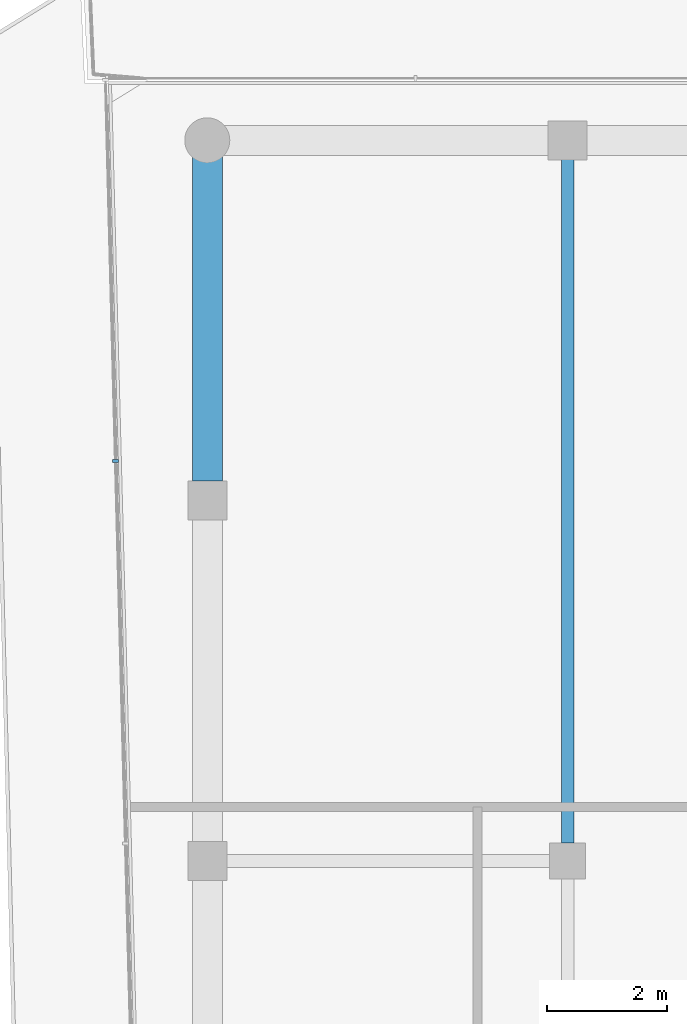
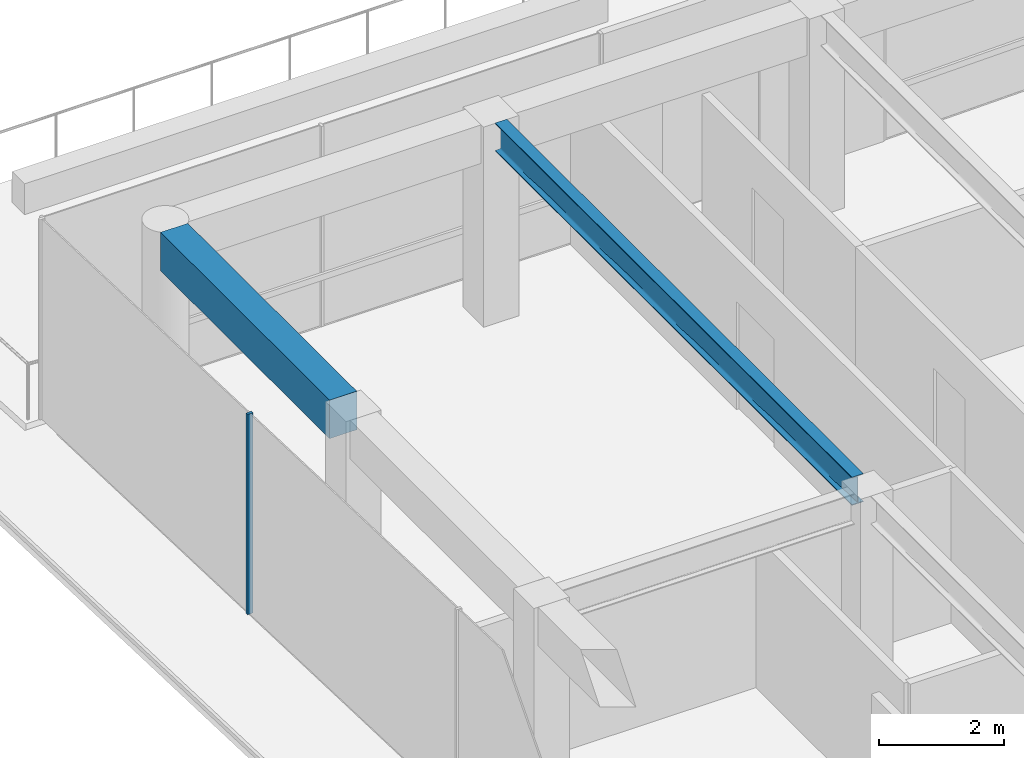
# One storey, part 9 of 20: 2 beams, 1 member, 1 element without a shape of its own.
"""IFC4 building model written with IfcOpenShell, lengths in metres."""

from ifc_helpers import new_model, si_unit, direction, frame, origin, origin_2d, place, context, subcontext, project, spatial, rectangle, i_section, extrude, material, layer, layer_set, material_profile, profile_set, type_object, element, aggregate, save


model = new_model("IFC4")

# Units and contexts
model_context = context("Model", 3, precision=1e-05, world=origin(), true_north=direction((0.0, 1.0)))
body_context = subcontext(model_context, "Body", "Model", "MODEL_VIEW")
ifc_project = project(units=[si_unit("LENGTHUNIT", "METRE"), si_unit("AREAUNIT", "SQUARE_METRE"), si_unit("VOLUMEUNIT", "CUBIC_METRE"), si_unit("PLANEANGLEUNIT", "RADIAN"), si_unit("MASSUNIT", "GRAM", prefix="KILO")], contexts=[model_context])

# Site, building, storey
site_placement = place(None, origin())
site = spatial("IfcSite", under=ifc_project, at=site_placement, CompositionType="ELEMENT")
building_placement = place(site_placement, origin())
building = spatial("IfcBuilding", under=site, at=building_placement, Name="Welwitschia Terrace Campus", CompositionType="ELEMENT")
storey_placement = place(building_placement, frame((0.0, 0.0, 327.199951171875)))
storey = spatial("IfcBuildingStorey", under=building, at=storey_placement, Name="L73", CompositionType="ELEMENT", Elevation=327.199951171875)

# Beam
ifc_material_1 = material(Name="Steel S355", Category="steel")
ifc_material_profile_1 = material_profile(ifc_material_1, i_section(OverallWidth=0.2099609375, OverallDepth=0.550048828125, WebThickness=0.010986328125, FlangeThickness=0.01708984375, FilletRadius=0.02392578125, at=origin_2d()))
ifc_profile_set_1 = profile_set([ifc_material_profile_1], Name="Steel S355")
beam_type_1 = type_object("IfcBeamType", Name="Interior girder IPE 550", PredefinedType="BEAM", material=ifc_profile_set_1)
beam_1_placement = place(storey_placement, frame((6.0, 32.300537109375, 3.625), z_axis=(0.0, 1.0, 0.0), x_axis=(-1.0, 0.0, 0.0)))
element("IfcBeam", 1, at=beam_1_placement, inside=storey, type_object=beam_type_1, Name="Girder GB7", PredefinedType="BEAM", context=body_context, shape_type="SweptSolid", body=[
    extrude(i_section(OverallWidth=0.2099609375, OverallDepth=0.550048828125, WebThickness=0.010986328125, FlangeThickness=0.01708984375, FilletRadius=0.02392578125, at=origin_2d()), origin(), (0.0, 0.0, 1.0), 11.384033203125),
])

# Curtain wall, member
ifc_material_2 = material(Name="Bronze anodised aluminium", Category="aluminium")
ifc_layer = layer(ifc_material_2, 0.10009765625)
ifc_layer_set = layer_set([ifc_layer], Name="Bronze anodised aluminium")
curtain_wall_type = type_object("IfcCurtainWallType", Name="Curtain wall CW5 crown 6000", PredefinedType="NOTDEFINED", material=ifc_layer_set)
curtain_wall_placement = place(storey_placement, origin())
curtain_wall = element("IfcCurtainWall", 2, at=curtain_wall_placement, inside=storey, type_object=curtain_wall_type, Name="CW L73.10.0", PredefinedType="NOTDEFINED")
ifc_material_3 = material(Name="Bronze anodised aluminium", Category="aluminium")
ifc_material_profile_2 = material_profile(ifc_material_3, rectangle(XDim=0.10009765625, YDim=0.050048828125, at=origin_2d()))
ifc_profile_set_2 = profile_set([ifc_material_profile_2], Name="Bronze anodised aluminium")
member_type = type_object("IfcMemberType", Name="Mullion 50x100", PredefinedType="MULLION", material=ifc_profile_set_2)
member_placement = place(storey_placement, frame((-1.530517578125, 38.659912109375, 0.0), z_axis=(0.0, 0.0, 1.0), x_axis=(0.999657324976, 0.026176948308, 0.0)))
member = element("IfcMember", 3, at=member_placement, type_object=member_type, Name="Mullion L73.10.0.1", PredefinedType="MULLION", context=body_context, shape_type="SweptSolid", body=[
    extrude(rectangle(XDim=0.10009765625, YDim=0.050048828125, at=origin_2d()), origin(), (0.0, 0.0, 1.0), 3.900146484375),
])
aggregate(curtain_wall, [member])

# Beam
ifc_material_4 = material(Name="Concrete C40/50", Category="concrete")
ifc_material_profile_3 = material_profile(ifc_material_4, rectangle(XDim=0.5, YDim=0.75, at=origin_2d()))
ifc_profile_set_3 = profile_set([ifc_material_profile_3], Name="Concrete C40/50")
beam_type_2 = type_object("IfcBeamType", Name="Ring spandrel 500x750", PredefinedType="SPANDREL", material=ifc_profile_set_3)
beam_2_placement = place(storey_placement, frame((0.0, 43.719482421875, 3.525146484375), z_axis=(0.0, -1.0, 0.0), x_axis=(1.0, 0.0, 0.0)))
element("IfcBeam", 4, at=beam_2_placement, inside=storey, type_object=beam_type_2, Name="Spandrel SP5", PredefinedType="SPANDREL", context=body_context, shape_type="SweptSolid", body=[
    extrude(rectangle(XDim=0.5, YDim=0.75, at=origin_2d()), origin(), (0.0, 0.0, 1.0), 5.39404296875),
])

save(model, "model.ifc")
